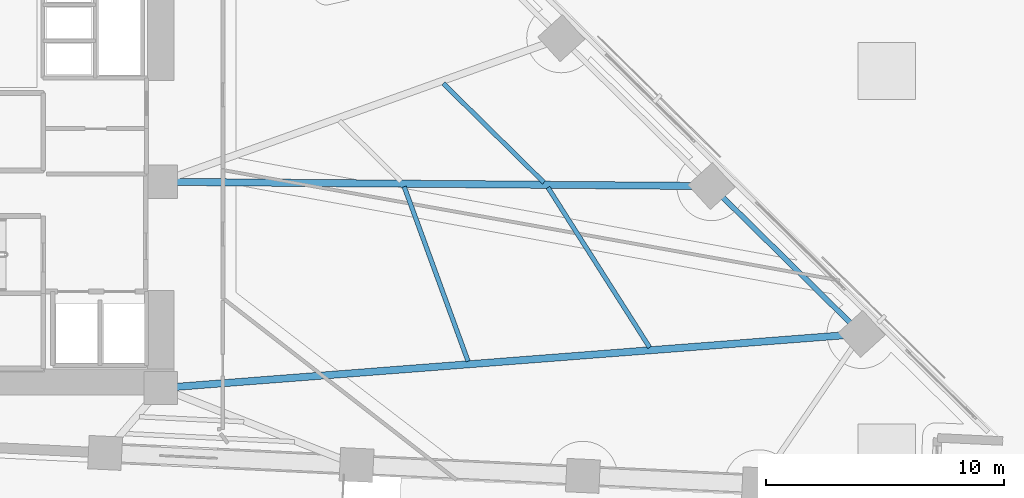
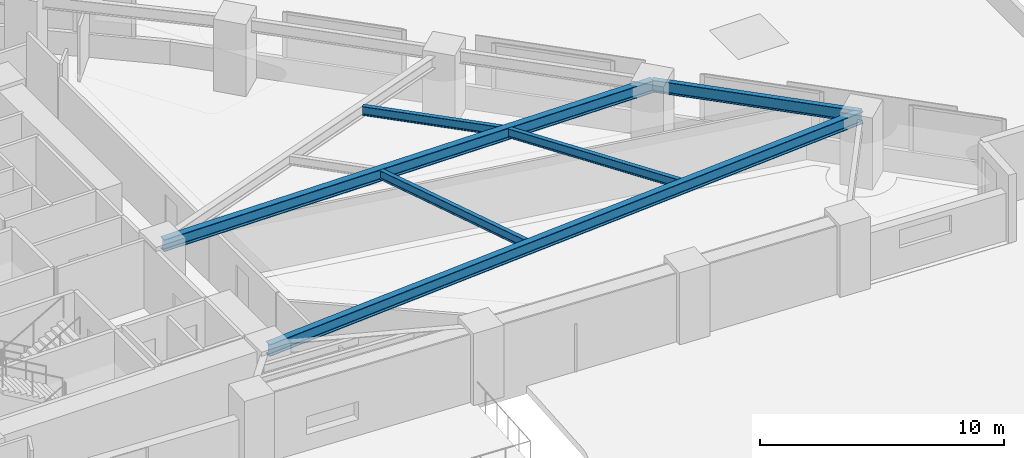
# One storey, part 3 of 19: 6 beams.
"""IFC4 building model written with IfcOpenShell, lengths in metres."""

from ifc_helpers import new_model, si_unit, direction, frame, origin, origin_2d, place, context, subcontext, project, spatial, i_section, extrude, material, material_profile, profile_set, type_object, element, save


model = new_model("IFC4")

# Units and contexts
model_context = context("Model", 3, precision=1e-05, world=origin(), true_north=direction((0.0, 1.0)))
body_context = subcontext(model_context, "Body", "Model", "MODEL_VIEW")
ifc_project = project(units=[si_unit("LENGTHUNIT", "METRE"), si_unit("AREAUNIT", "SQUARE_METRE"), si_unit("VOLUMEUNIT", "CUBIC_METRE"), si_unit("PLANEANGLEUNIT", "RADIAN"), si_unit("MASSUNIT", "GRAM", prefix="KILO")], contexts=[model_context])

# Site, building, storey
site_placement = place(None, origin())
site = spatial("IfcSite", under=ifc_project, at=site_placement, CompositionType="ELEMENT")
building_placement = place(site_placement, origin())
building = spatial("IfcBuilding", under=site, at=building_placement, Name="Narakoshi Arena Tower", CompositionType="ELEMENT")
storey_placement = place(building_placement, frame((0.0, 0.0, 26.699951171875)))
storey = spatial("IfcBuildingStorey", under=building, at=storey_placement, Name="L06", CompositionType="ELEMENT", Elevation=26.699951171875)

# Beams
ifc_material = material(Name="Structural steel S355J2", Category="steel")
ifc_material_profile_1 = material_profile(ifc_material, i_section(OverallWidth=0.219970703125, OverallDepth=0.60009765625, WebThickness=0.011962890625, FlangeThickness=0.01904296875, FilletRadius=0.02392578125, at=origin_2d()), Name="IPE600")
ifc_profile_set_1 = profile_set([ifc_material_profile_1], Name="Structural steel S355J2")
beam_type_1 = type_object("IfcBeamType", Name="BM-EDGE-600", PredefinedType="BEAM", material=ifc_profile_set_1)
beam_1_placement = place(storey_placement, frame((114.942138671875, 36.969970703125, 3.10009765625), z_axis=(-0.712540689328, 0.70163079041, 0.0), x_axis=(-0.70163079041, -0.712540689328, 0.0)))
element("IfcBeam", 1, at=beam_1_placement, inside=storey, type_object=beam_type_1, Name="L06 Perimeter Edge Girder 05", PredefinedType="BEAM", context=body_context, shape_type="SweptSolid", body=[
    extrude(i_section(OverallWidth=0.219970703125, OverallDepth=0.60009765625, WebThickness=0.011962890625, FlangeThickness=0.01904296875, FilletRadius=0.02392578125, at=origin_2d()), origin(), (0.0, 0.0, 1.0), 8.83935546875),
])
ifc_material_profile_2 = material_profile(ifc_material, i_section(OverallWidth=0.300048828125, OverallDepth=0.60009765625, WebThickness=0.015380859375, FlangeThickness=0.030029296875, FilletRadius=0.027099609375, at=origin_2d()), Name="HE600B")
ifc_profile_set_2 = profile_set([ifc_material_profile_2], Name="Structural steel S355J2")
beam_type_2 = type_object("IfcBeamType", Name="BM-PRI-600", PredefinedType="BEAM", material=ifc_profile_set_2)
beam_2_placement = place(storey_placement, frame((85.550048828125, 34.699951171875, 3.10009765625), z_axis=(0.99703085997, 0.077003014669, 0.0), x_axis=(-0.077003014669, 0.99703085997, 0.0)))
element("IfcBeam", 2, at=beam_2_placement, inside=storey, type_object=beam_type_2, Name="L06 Radial Primary Floor Girder 05", PredefinedType="BEAM", context=body_context, shape_type="SweptSolid", body=[
    extrude(i_section(OverallWidth=0.300048828125, OverallDepth=0.60009765625, WebThickness=0.015380859375, FlangeThickness=0.030029296875, FilletRadius=0.027099609375, at=origin_2d()), origin(), (0.0, 0.0, 1.0), 29.479736328125),
])
beam_3_placement = place(storey_placement, frame((85.550048828125, 43.35009765625, 3.10009765625), z_axis=(0.99997022255, -0.00771712473, 0.0), x_axis=(0.00771712473, 0.99997022255, 0.0)))
element("IfcBeam", 3, at=beam_3_placement, inside=storey, type_object=beam_type_2, Name="L06 Radial Primary Floor Girder 06", PredefinedType="BEAM", context=body_context, shape_type="SweptSolid", body=[
    extrude(i_section(OverallWidth=0.300048828125, OverallDepth=0.60009765625, WebThickness=0.015380859375, FlangeThickness=0.030029296875, FilletRadius=0.027099609375, at=origin_2d()), origin(), (0.0, 0.0, 1.0), 23.094482421875),
])
ifc_material_profile_3 = material_profile(ifc_material, i_section(OverallWidth=0.18994140625, OverallDepth=0.449951171875, WebThickness=0.009521484375, FlangeThickness=0.0146484375, FilletRadius=0.02099609375, at=origin_2d()), Name="IPE450")
ifc_profile_set_3 = profile_set([ifc_material_profile_3], Name="Structural steel S355J2")
beam_type_3 = type_object("IfcBeamType", Name="BM-SEC-450", PredefinedType="JOIST", material=ifc_profile_set_3)
beam_4_placement = place(storey_placement, frame((98.436279296875, 35.825439453125, 3.175048828125), z_axis=(-0.343646214549, 0.939099184978, 0.0), x_axis=(-0.939099184978, -0.343646214549, 0.0)))
element("IfcBeam", 4, at=beam_4_placement, inside=storey, type_object=beam_type_3, Name="L06 Composite Secondary Floor Joist 03", PredefinedType="JOIST", context=body_context, shape_type="SweptSolid", body=[
    extrude(i_section(OverallWidth=0.18994140625, OverallDepth=0.449951171875, WebThickness=0.009521484375, FlangeThickness=0.0146484375, FilletRadius=0.02099609375, at=origin_2d()), origin(), (0.0, 0.0, 1.0), 7.794189453125),
])
beam_5_placement = place(storey_placement, frame((106.052001953125, 36.40283203125, 3.175048828125), z_axis=(-0.536416331891, 0.843953505165, 0.0), x_axis=(-0.843953505165, -0.536416331891, 0.0)))
element("IfcBeam", 5, at=beam_5_placement, inside=storey, type_object=beam_type_3, Name="L06 Composite Secondary Floor Joist 04", PredefinedType="JOIST", context=body_context, shape_type="SweptSolid", body=[
    extrude(i_section(OverallWidth=0.18994140625, OverallDepth=0.449951171875, WebThickness=0.009521484375, FlangeThickness=0.0146484375, FilletRadius=0.02099609375, at=origin_2d()), origin(), (0.0, 0.0, 1.0), 7.948974609375),
])
beam_6_placement = place(storey_placement, frame((101.619384765625, 43.320068359375, 3.175048828125), z_axis=(-0.71253191184, 0.701639704271, 0.0), x_axis=(-0.701639704271, -0.71253191184, 0.0)))
element("IfcBeam", 6, at=beam_6_placement, inside=storey, type_object=beam_type_3, Name="L06 Composite Secondary Floor Joist 06", PredefinedType="JOIST", context=body_context, shape_type="SweptSolid", body=[
    extrude(i_section(OverallWidth=0.18994140625, OverallDepth=0.449951171875, WebThickness=0.009521484375, FlangeThickness=0.0146484375, FilletRadius=0.02099609375, at=origin_2d()), origin(), (0.0, 0.0, 1.0), 5.91748046875),
])

save(model, "model.ifc")
